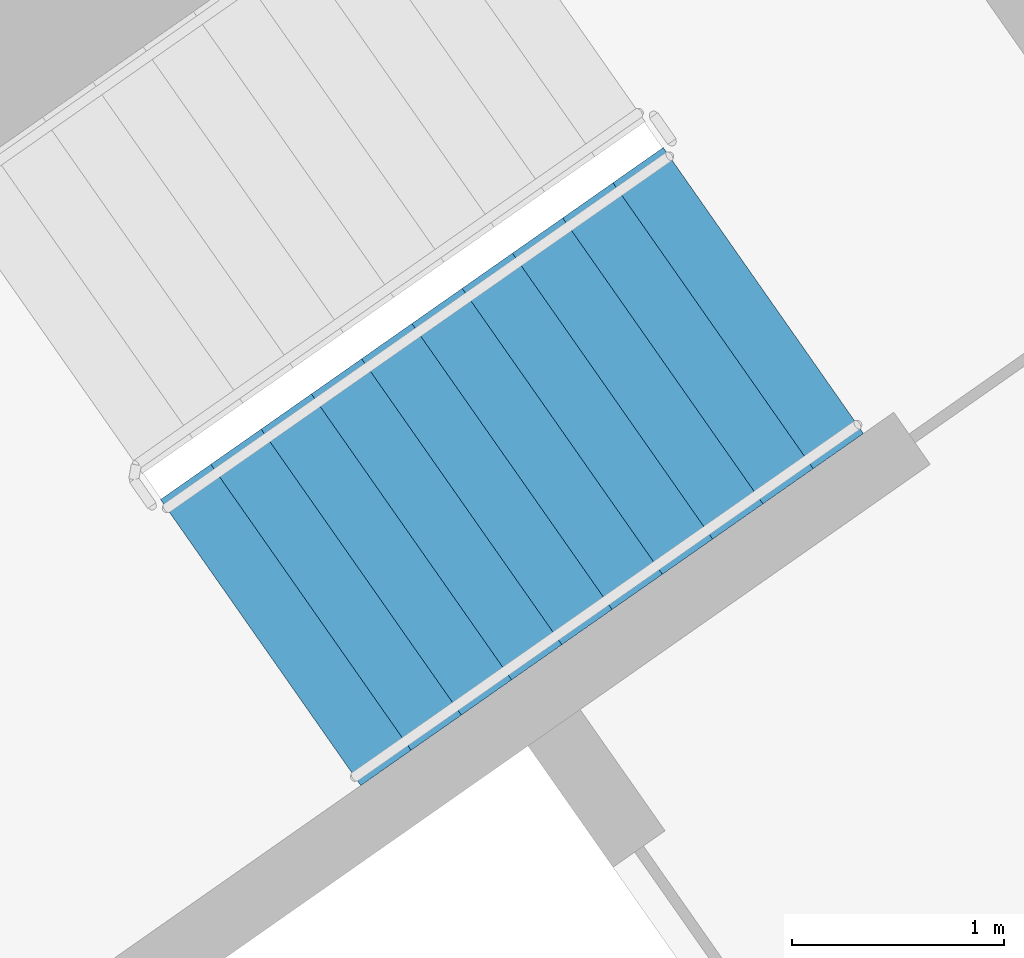
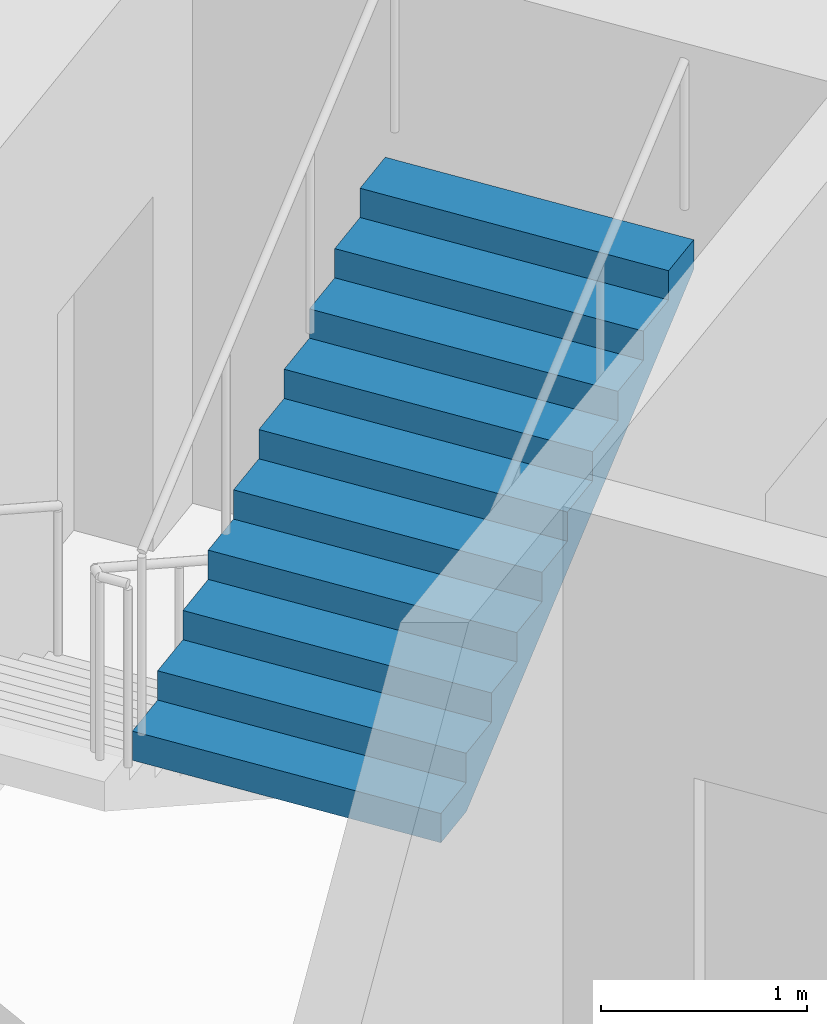
# One storey, part 14 of 31: 1 stair flight, 1 element without a shape of its own.
"""IFC4 building model written with IfcOpenShell, lengths in metres."""

from ifc_helpers import new_model, si_unit, direction, frame, origin, place, context, subcontext, project, spatial, faceted_brep, material, type_object, element, aggregate, save


model = new_model("IFC4")

# Units and contexts
model_context = context("Model", 3, precision=1e-05, world=origin(), true_north=direction((0.0, 1.0)))
body_context = subcontext(model_context, "Body", "Model", "MODEL_VIEW")
ifc_project = project(units=[si_unit("LENGTHUNIT", "METRE"), si_unit("AREAUNIT", "SQUARE_METRE"), si_unit("VOLUMEUNIT", "CUBIC_METRE"), si_unit("PLANEANGLEUNIT", "RADIAN"), si_unit("MASSUNIT", "GRAM", prefix="KILO")], contexts=[model_context])

# Site, building, storey
site_placement = place(None, origin())
site = spatial("IfcSite", under=ifc_project, at=site_placement, CompositionType="ELEMENT")
building_placement = place(site_placement, origin())
building = spatial("IfcBuilding", under=site, at=building_placement, Name="Qamariyya Broadcast Tower", CompositionType="ELEMENT")
storey_placement = place(building_placement, frame((0.0, 0.0, 48.10009765625)))
storey = spatial("IfcBuildingStorey", under=building, at=storey_placement, Name="L08", CompositionType="ELEMENT", Elevation=48.10009765625)

# Stair, stair flight
ifc_material = material(Name="Concrete C50/60", Category="concrete")
stair_type = type_object("IfcStairType", Name="Exit stair 22 risers of 173 mm", PredefinedType="HALF_TURN_STAIR", material=ifc_material)
stair_placement = place(storey_placement, origin())
stair = element("IfcStair", 1, at=stair_placement, inside=storey, type_object=stair_type, Name="L08 Stair E2", PredefinedType="HALF_TURN_STAIR")
stair_flight_type = type_object("IfcStairFlightType", Name="Exit stair flight 11 risers of 173 mm", PredefinedType="STRAIGHT", material=ifc_material)
stair_flight_placement = place(storey_placement, frame((39.215576171875, -50.822998046875, 1.89990234375), z_axis=(0.0, 0.0, 1.0), x_axis=(0.819152044289, 0.573576436351, 0.0)))
stair_flight = element("IfcStairFlight", 2, at=stair_flight_placement, type_object=stair_flight_type, Name="ST-E2 flight 2", NumberOfRisers=11, NumberOfTreads=10, PredefinedType="STRAIGHT", RiserHeight=0.172727273, TreadLength=0.29, context=body_context, shape_type="Brep", body=[
    faceted_brep([(0.0, 0.824951171875, 0.0), (0.0, 0.824951171875, 0.172607421875), (0.2900390625, 0.824951171875, 0.172607421875), (0.2900390625, 0.824951171875, 0.345458984375), (0.580078125, 0.824951171875, 0.345458984375), (0.580078125, 0.824951171875, 0.51806640625), (0.8701171875, 0.824951171875, 0.51806640625), (0.8701171875, 0.824951171875, 0.69091796875), (1.159912109375, 0.824951171875, 0.69091796875), (1.159912109375, 0.824951171875, 0.863525390625), (1.449951171875, 0.824951171875, 0.863525390625), (1.449951171875, 0.824951171875, 1.036376953125), (1.739990234375, 0.824951171875, 1.036376953125), (1.739990234375, 0.824951171875, 1.208984375), (2.030029296875, 0.824951171875, 1.208984375), (2.030029296875, 0.824951171875, 1.3818359375), (2.320068359375, 0.824951171875, 1.3818359375), (2.320068359375, 0.824951171875, 1.554443359375), (2.610107421875, 0.824951171875, 1.554443359375), (2.610107421875, 0.824951171875, 1.727294921875), (2.89990234375, 0.824951171875, 1.727294921875), (2.89990234375, 0.824951171875, 1.552734375), (0.29296875, 0.824951171875, 0.0), (0.29296875, -0.824951171875, 0.0), (2.89990234375, -0.824951171875, 1.552734375), (2.89990234375, -0.824951171875, 1.727294921875), (2.610107421875, -0.824951171875, 1.727294921875), (2.610107421875, -0.824951171875, 1.554443359375), (2.320068359375, -0.824951171875, 1.554443359375), (2.320068359375, -0.824951171875, 1.3818359375), (2.030029296875, -0.824951171875, 1.3818359375), (2.030029296875, -0.824951171875, 1.208984375), (1.739990234375, -0.824951171875, 1.208984375), (1.739990234375, -0.824951171875, 1.036376953125), (1.449951171875, -0.824951171875, 1.036376953125), (1.449951171875, -0.824951171875, 0.863525390625), (1.159912109375, -0.824951171875, 0.863525390625), (1.159912109375, -0.824951171875, 0.69091796875), (0.8701171875, -0.824951171875, 0.69091796875), (0.8701171875, -0.824951171875, 0.51806640625), (0.580078125, -0.824951171875, 0.51806640625), (0.580078125, -0.824951171875, 0.345458984375), (0.2900390625, -0.824951171875, 0.345458984375), (0.2900390625, -0.824951171875, 0.172607421875), (0.0, -0.824951171875, 0.172607421875), (0.0, -0.824951171875, 0.0), (0.0, 0.10009765625, 0.0), (0.0, 0.086669921875, 0.0), (0.0, 0.0732421875, 0.0), (0.0, 0.06005859375, 0.0), (0.0, 0.046630859375, 0.0), (0.0, 0.033447265625, 0.0), (0.0, 0.02001953125, 0.0), (0.0, 0.006591796875, 0.0), (0.0, -0.006591796875, 0.0), (0.0, -0.02001953125, 0.0), (0.0, -0.033447265625, 0.0), (0.0, -0.046630859375, 0.0), (0.0, -0.06005859375, 0.0), (0.0, -0.0732421875, 0.0), (0.0, -0.086669921875, 0.0), (0.0, -0.10009765625, 0.0), (0.0, -0.10009765625, 0.172607421875), (0.0, -0.086669921875, 0.172607421875), (0.0, -0.0732421875, 0.172607421875), (0.0, -0.06005859375, 0.172607421875), (0.0, -0.046630859375, 0.172607421875), (0.0, -0.033447265625, 0.172607421875), (0.0, -0.02001953125, 0.172607421875), (0.0, -0.006591796875, 0.172607421875), (0.0, 0.006591796875, 0.172607421875), (0.0, 0.02001953125, 0.172607421875), (0.0, 0.033447265625, 0.172607421875), (0.0, 0.046630859375, 0.172607421875), (0.0, 0.06005859375, 0.172607421875), (0.0, 0.0732421875, 0.172607421875), (0.0, 0.086669921875, 0.172607421875), (0.0, 0.10009765625, 0.172607421875), (0.2900390625, -0.10009765625, 0.172607421875), (0.2900390625, -0.086669921875, 0.172607421875), (0.2900390625, -0.0732421875, 0.172607421875), (0.2900390625, -0.06005859375, 0.172607421875), (0.2900390625, -0.046630859375, 0.172607421875), (0.2900390625, -0.033447265625, 0.172607421875), (0.2900390625, -0.02001953125, 0.172607421875), (0.2900390625, -0.006591796875, 0.172607421875), (0.2900390625, 0.006591796875, 0.172607421875), (0.2900390625, 0.02001953125, 0.172607421875), (0.2900390625, 0.033447265625, 0.172607421875), (0.2900390625, 0.046630859375, 0.172607421875), (0.2900390625, 0.06005859375, 0.172607421875), (0.2900390625, 0.0732421875, 0.172607421875), (0.2900390625, 0.086669921875, 0.172607421875), (0.2900390625, 0.10009765625, 0.172607421875), (0.2900390625, -0.10009765625, 0.345458984375), (0.2900390625, -0.086669921875, 0.345458984375), (0.2900390625, -0.0732421875, 0.345458984375), (0.2900390625, -0.06005859375, 0.345458984375), (0.2900390625, -0.046630859375, 0.345458984375), (0.2900390625, -0.033447265625, 0.345458984375), (0.2900390625, -0.02001953125, 0.345458984375), (0.2900390625, -0.006591796875, 0.345458984375), (0.2900390625, 0.006591796875, 0.345458984375), (0.2900390625, 0.02001953125, 0.345458984375), (0.2900390625, 0.033447265625, 0.345458984375), (0.2900390625, 0.046630859375, 0.345458984375), (0.2900390625, 0.06005859375, 0.345458984375), (0.2900390625, 0.0732421875, 0.345458984375), (0.2900390625, 0.086669921875, 0.345458984375), (0.2900390625, 0.10009765625, 0.345458984375), (0.580078125, -0.10009765625, 0.345458984375), (0.580078125, -0.086669921875, 0.345458984375), (0.580078125, -0.0732421875, 0.345458984375), (0.580078125, -0.06005859375, 0.345458984375), (0.580078125, -0.046630859375, 0.345458984375), (0.580078125, -0.033447265625, 0.345458984375), (0.580078125, -0.02001953125, 0.345458984375), (0.580078125, -0.006591796875, 0.345458984375), (0.580078125, 0.006591796875, 0.345458984375), (0.580078125, 0.02001953125, 0.345458984375), (0.580078125, 0.033447265625, 0.345458984375), (0.580078125, 0.046630859375, 0.345458984375), (0.580078125, 0.06005859375, 0.345458984375), (0.580078125, 0.0732421875, 0.345458984375), (0.580078125, 0.086669921875, 0.345458984375), (0.580078125, 0.10009765625, 0.345458984375), (0.580078125, -0.10009765625, 0.51806640625), (0.580078125, -0.086669921875, 0.51806640625), (0.580078125, -0.0732421875, 0.51806640625), (0.580078125, -0.06005859375, 0.51806640625), (0.580078125, -0.046630859375, 0.51806640625), (0.580078125, -0.033447265625, 0.51806640625), (0.580078125, -0.02001953125, 0.51806640625), (0.580078125, -0.006591796875, 0.51806640625), (0.580078125, 0.006591796875, 0.51806640625), (0.580078125, 0.02001953125, 0.51806640625), (0.580078125, 0.033447265625, 0.51806640625), (0.580078125, 0.046630859375, 0.51806640625), (0.580078125, 0.06005859375, 0.51806640625), (0.580078125, 0.0732421875, 0.51806640625), (0.580078125, 0.086669921875, 0.51806640625), (0.580078125, 0.10009765625, 0.51806640625), (0.8701171875, -0.10009765625, 0.51806640625), (0.8701171875, -0.086669921875, 0.51806640625), (0.8701171875, -0.0732421875, 0.51806640625), (0.8701171875, -0.06005859375, 0.51806640625), (0.8701171875, -0.046630859375, 0.51806640625), (0.8701171875, -0.033447265625, 0.51806640625), (0.8701171875, -0.02001953125, 0.51806640625), (0.8701171875, -0.006591796875, 0.51806640625), (0.8701171875, 0.006591796875, 0.51806640625), (0.8701171875, 0.02001953125, 0.51806640625), (0.8701171875, 0.033447265625, 0.51806640625), (0.8701171875, 0.046630859375, 0.51806640625), (0.8701171875, 0.06005859375, 0.51806640625), (0.8701171875, 0.0732421875, 0.51806640625), (0.8701171875, 0.086669921875, 0.51806640625), (0.8701171875, 0.10009765625, 0.51806640625), (0.8701171875, -0.10009765625, 0.69091796875), (0.8701171875, -0.086669921875, 0.69091796875), (0.8701171875, -0.0732421875, 0.69091796875), (0.8701171875, -0.06005859375, 0.69091796875), (0.8701171875, -0.046630859375, 0.69091796875), (0.8701171875, -0.033447265625, 0.69091796875), (0.8701171875, -0.02001953125, 0.69091796875), (0.8701171875, -0.006591796875, 0.69091796875), (0.8701171875, 0.006591796875, 0.69091796875), (0.8701171875, 0.02001953125, 0.69091796875), (0.8701171875, 0.033447265625, 0.69091796875), (0.8701171875, 0.046630859375, 0.69091796875), (0.8701171875, 0.06005859375, 0.69091796875), (0.8701171875, 0.0732421875, 0.69091796875), (0.8701171875, 0.086669921875, 0.69091796875), (0.8701171875, 0.10009765625, 0.69091796875), (1.159912109375, -0.10009765625, 0.69091796875), (1.159912109375, -0.086669921875, 0.69091796875), (1.159912109375, -0.0732421875, 0.69091796875), (1.159912109375, -0.06005859375, 0.69091796875), (1.159912109375, -0.046630859375, 0.69091796875), (1.159912109375, -0.033447265625, 0.69091796875), (1.159912109375, -0.02001953125, 0.69091796875), (1.159912109375, -0.006591796875, 0.69091796875), (1.159912109375, 0.006591796875, 0.69091796875), (1.159912109375, 0.02001953125, 0.69091796875), (1.159912109375, 0.033447265625, 0.69091796875), (1.159912109375, 0.046630859375, 0.69091796875), (1.159912109375, 0.06005859375, 0.69091796875), (1.159912109375, 0.0732421875, 0.69091796875), (1.159912109375, 0.086669921875, 0.69091796875), (1.159912109375, 0.10009765625, 0.69091796875), (1.159912109375, -0.10009765625, 0.863525390625), (1.159912109375, -0.086669921875, 0.863525390625), (1.159912109375, -0.0732421875, 0.863525390625), (1.159912109375, -0.06005859375, 0.863525390625), (1.159912109375, -0.046630859375, 0.863525390625), (1.159912109375, -0.033447265625, 0.863525390625), (1.159912109375, -0.02001953125, 0.863525390625), (1.159912109375, -0.006591796875, 0.863525390625), (1.159912109375, 0.006591796875, 0.863525390625), (1.159912109375, 0.02001953125, 0.863525390625), (1.159912109375, 0.033447265625, 0.863525390625), (1.159912109375, 0.046630859375, 0.863525390625), (1.159912109375, 0.06005859375, 0.863525390625), (1.159912109375, 0.0732421875, 0.863525390625), (1.159912109375, 0.086669921875, 0.863525390625), (1.159912109375, 0.10009765625, 0.863525390625), (1.449951171875, -0.10009765625, 0.863525390625), (1.449951171875, -0.086669921875, 0.863525390625), (1.449951171875, -0.0732421875, 0.863525390625), (1.449951171875, -0.06005859375, 0.863525390625), (1.449951171875, -0.046630859375, 0.863525390625), (1.449951171875, -0.033447265625, 0.863525390625), (1.449951171875, -0.02001953125, 0.863525390625), (1.449951171875, -0.006591796875, 0.863525390625), (1.449951171875, 0.006591796875, 0.863525390625), (1.449951171875, 0.02001953125, 0.863525390625), (1.449951171875, 0.033447265625, 0.863525390625), (1.449951171875, 0.046630859375, 0.863525390625), (1.449951171875, 0.06005859375, 0.863525390625), (1.449951171875, 0.0732421875, 0.863525390625), (1.449951171875, 0.086669921875, 0.863525390625), (1.449951171875, 0.10009765625, 0.863525390625), (1.449951171875, -0.10009765625, 1.036376953125), (1.449951171875, -0.086669921875, 1.036376953125), (1.449951171875, -0.0732421875, 1.036376953125), (1.449951171875, -0.06005859375, 1.036376953125), (1.449951171875, -0.046630859375, 1.036376953125), (1.449951171875, -0.033447265625, 1.036376953125), (1.449951171875, -0.02001953125, 1.036376953125), (1.449951171875, -0.006591796875, 1.036376953125), (1.449951171875, 0.006591796875, 1.036376953125), (1.449951171875, 0.02001953125, 1.036376953125), (1.449951171875, 0.033447265625, 1.036376953125), (1.449951171875, 0.046630859375, 1.036376953125), (1.449951171875, 0.06005859375, 1.036376953125), (1.449951171875, 0.0732421875, 1.036376953125), (1.449951171875, 0.086669921875, 1.036376953125), (1.449951171875, 0.10009765625, 1.036376953125), (1.739990234375, -0.10009765625, 1.036376953125), (1.739990234375, -0.086669921875, 1.036376953125), (1.739990234375, -0.0732421875, 1.036376953125), (1.739990234375, -0.06005859375, 1.036376953125), (1.739990234375, -0.046630859375, 1.036376953125), (1.739990234375, -0.033447265625, 1.036376953125), (1.739990234375, -0.02001953125, 1.036376953125), (1.739990234375, -0.006591796875, 1.036376953125), (1.739990234375, 0.006591796875, 1.036376953125), (1.739990234375, 0.02001953125, 1.036376953125), (1.739990234375, 0.033447265625, 1.036376953125), (1.739990234375, 0.046630859375, 1.036376953125), (1.739990234375, 0.06005859375, 1.036376953125), (1.739990234375, 0.0732421875, 1.036376953125), (1.739990234375, 0.086669921875, 1.036376953125), (1.739990234375, 0.10009765625, 1.036376953125), (1.739990234375, -0.10009765625, 1.208984375), (1.739990234375, -0.086669921875, 1.208984375), (1.739990234375, -0.0732421875, 1.208984375), (1.739990234375, -0.06005859375, 1.208984375), (1.739990234375, -0.046630859375, 1.208984375), (1.739990234375, -0.033447265625, 1.208984375), (1.739990234375, -0.02001953125, 1.208984375), (1.739990234375, -0.006591796875, 1.208984375), (1.739990234375, 0.006591796875, 1.208984375), (1.739990234375, 0.02001953125, 1.208984375), (1.739990234375, 0.033447265625, 1.208984375), (1.739990234375, 0.046630859375, 1.208984375), (1.739990234375, 0.06005859375, 1.208984375), (1.739990234375, 0.0732421875, 1.208984375), (1.739990234375, 0.086669921875, 1.208984375), (1.739990234375, 0.10009765625, 1.208984375), (2.030029296875, -0.10009765625, 1.208984375), (2.030029296875, -0.086669921875, 1.208984375), (2.030029296875, -0.0732421875, 1.208984375), (2.030029296875, -0.06005859375, 1.208984375), (2.030029296875, -0.046630859375, 1.208984375), (2.030029296875, -0.033447265625, 1.208984375), (2.030029296875, -0.02001953125, 1.208984375), (2.030029296875, -0.006591796875, 1.208984375), (2.030029296875, 0.006591796875, 1.208984375), (2.030029296875, 0.02001953125, 1.208984375), (2.030029296875, 0.033447265625, 1.208984375), (2.030029296875, 0.046630859375, 1.208984375), (2.030029296875, 0.06005859375, 1.208984375), (2.030029296875, 0.0732421875, 1.208984375), (2.030029296875, 0.086669921875, 1.208984375), (2.030029296875, 0.10009765625, 1.208984375), (2.030029296875, -0.10009765625, 1.3818359375), (2.030029296875, -0.086669921875, 1.3818359375), (2.030029296875, -0.0732421875, 1.3818359375), (2.030029296875, -0.06005859375, 1.3818359375), (2.030029296875, -0.046630859375, 1.3818359375), (2.030029296875, -0.033447265625, 1.3818359375), (2.030029296875, -0.02001953125, 1.3818359375), (2.030029296875, -0.006591796875, 1.3818359375), (2.030029296875, 0.006591796875, 1.3818359375), (2.030029296875, 0.02001953125, 1.3818359375), (2.030029296875, 0.033447265625, 1.3818359375), (2.030029296875, 0.046630859375, 1.3818359375), (2.030029296875, 0.06005859375, 1.3818359375), (2.030029296875, 0.0732421875, 1.3818359375), (2.030029296875, 0.086669921875, 1.3818359375), (2.030029296875, 0.10009765625, 1.3818359375), (2.320068359375, -0.10009765625, 1.3818359375), (2.320068359375, -0.086669921875, 1.3818359375), (2.320068359375, -0.0732421875, 1.3818359375), (2.320068359375, -0.06005859375, 1.3818359375), (2.320068359375, -0.046630859375, 1.3818359375), (2.320068359375, -0.033447265625, 1.3818359375), (2.320068359375, -0.02001953125, 1.3818359375), (2.320068359375, -0.006591796875, 1.3818359375), (2.320068359375, 0.006591796875, 1.3818359375), (2.320068359375, 0.02001953125, 1.3818359375), (2.320068359375, 0.033447265625, 1.3818359375), (2.320068359375, 0.046630859375, 1.3818359375), (2.320068359375, 0.06005859375, 1.3818359375), (2.320068359375, 0.0732421875, 1.3818359375), (2.320068359375, 0.086669921875, 1.3818359375), (2.320068359375, 0.10009765625, 1.3818359375), (2.320068359375, -0.10009765625, 1.554443359375), (2.320068359375, -0.086669921875, 1.554443359375), (2.320068359375, -0.0732421875, 1.554443359375), (2.320068359375, -0.06005859375, 1.554443359375), (2.320068359375, -0.046630859375, 1.554443359375), (2.320068359375, -0.033447265625, 1.554443359375), (2.320068359375, -0.02001953125, 1.554443359375), (2.320068359375, -0.006591796875, 1.554443359375), (2.320068359375, 0.006591796875, 1.554443359375), (2.320068359375, 0.02001953125, 1.554443359375), (2.320068359375, 0.033447265625, 1.554443359375), (2.320068359375, 0.046630859375, 1.554443359375), (2.320068359375, 0.06005859375, 1.554443359375), (2.320068359375, 0.0732421875, 1.554443359375), (2.320068359375, 0.086669921875, 1.554443359375), (2.320068359375, 0.10009765625, 1.554443359375), (2.610107421875, -0.10009765625, 1.554443359375), (2.610107421875, -0.086669921875, 1.554443359375), (2.610107421875, -0.0732421875, 1.554443359375), (2.610107421875, -0.06005859375, 1.554443359375), (2.610107421875, -0.046630859375, 1.554443359375), (2.610107421875, -0.033447265625, 1.554443359375), (2.610107421875, -0.02001953125, 1.554443359375), (2.610107421875, -0.006591796875, 1.554443359375), (2.610107421875, 0.006591796875, 1.554443359375), (2.610107421875, 0.02001953125, 1.554443359375), (2.610107421875, 0.033447265625, 1.554443359375), (2.610107421875, 0.046630859375, 1.554443359375), (2.610107421875, 0.06005859375, 1.554443359375), (2.610107421875, 0.0732421875, 1.554443359375), (2.610107421875, 0.086669921875, 1.554443359375), (2.610107421875, 0.10009765625, 1.554443359375), (2.610107421875, -0.10009765625, 1.727294921875), (2.610107421875, -0.086669921875, 1.727294921875), (2.610107421875, -0.0732421875, 1.727294921875), (2.610107421875, -0.06005859375, 1.727294921875), (2.610107421875, -0.046630859375, 1.727294921875), (2.610107421875, -0.033447265625, 1.727294921875), (2.610107421875, -0.02001953125, 1.727294921875), (2.610107421875, -0.006591796875, 1.727294921875), (2.610107421875, 0.006591796875, 1.727294921875), (2.610107421875, 0.02001953125, 1.727294921875), (2.610107421875, 0.033447265625, 1.727294921875), (2.610107421875, 0.046630859375, 1.727294921875), (2.610107421875, 0.06005859375, 1.727294921875), (2.610107421875, 0.0732421875, 1.727294921875), (2.610107421875, 0.086669921875, 1.727294921875), (2.610107421875, 0.10009765625, 1.727294921875), (2.89990234375, -0.10009765625, 1.727294921875), (2.89990234375, -0.086669921875, 1.727294921875), (2.89990234375, -0.0732421875, 1.727294921875), (2.89990234375, -0.06005859375, 1.727294921875), (2.89990234375, -0.046630859375, 1.727294921875), (2.89990234375, -0.033447265625, 1.727294921875), (2.89990234375, -0.02001953125, 1.727294921875), (2.89990234375, -0.006591796875, 1.727294921875), (2.89990234375, 0.006591796875, 1.727294921875), (2.89990234375, 0.02001953125, 1.727294921875), (2.89990234375, 0.033447265625, 1.727294921875), (2.89990234375, 0.046630859375, 1.727294921875), (2.89990234375, 0.06005859375, 1.727294921875), (2.89990234375, 0.0732421875, 1.727294921875), (2.89990234375, 0.086669921875, 1.727294921875), (2.89990234375, 0.10009765625, 1.727294921875), (2.89990234375, -0.10009765625, 1.552734375), (2.89990234375, -0.086669921875, 1.552734375), (2.89990234375, -0.0732421875, 1.552734375), (2.89990234375, -0.06005859375, 1.552734375), (2.89990234375, -0.046630859375, 1.552734375), (2.89990234375, -0.033447265625, 1.552734375), (2.89990234375, -0.02001953125, 1.552734375), (2.89990234375, -0.006591796875, 1.552734375), (2.89990234375, 0.006591796875, 1.552734375), (2.89990234375, 0.02001953125, 1.552734375), (2.89990234375, 0.033447265625, 1.552734375), (2.89990234375, 0.046630859375, 1.552734375), (2.89990234375, 0.06005859375, 1.552734375), (2.89990234375, 0.0732421875, 1.552734375), (2.89990234375, 0.086669921875, 1.552734375), (2.89990234375, 0.10009765625, 1.552734375), (0.29296875, -0.10009765625, 0.0), (0.29296875, -0.086669921875, 0.0), (0.29296875, -0.0732421875, 0.0), (0.29296875, -0.06005859375, 0.0), (0.29296875, -0.046630859375, 0.0), (0.29296875, -0.033447265625, 0.0), (0.29296875, -0.02001953125, 0.0), (0.29296875, -0.006591796875, 0.0), (0.29296875, 0.006591796875, 0.0), (0.29296875, 0.02001953125, 0.0), (0.29296875, 0.033447265625, 0.0), (0.29296875, 0.046630859375, 0.0), (0.29296875, 0.06005859375, 0.0), (0.29296875, 0.0732421875, 0.0), (0.29296875, 0.086669921875, 0.0), (0.29296875, 0.10009765625, 0.0)], [[[0, 1, 2, 3, 4, 5, 6, 7, 8, 9, 10, 11, 12, 13, 14, 15, 16, 17, 18, 19, 20, 21, 22]], [[23, 24, 25, 26, 27, 28, 29, 30, 31, 32, 33, 34, 35, 36, 37, 38, 39, 40, 41, 42, 43, 44, 45]], [[0, 46, 47, 48, 49, 50, 51, 52, 53, 54, 55, 56, 57, 58, 59, 60, 61, 45, 44, 62, 63, 64, 65, 66, 67, 68, 69, 70, 71, 72, 73, 74, 75, 76, 77, 1]], [[1, 77, 76, 75, 74, 73, 72, 71, 70, 69, 68, 67, 66, 65, 64, 63, 62, 44, 43, 78, 79, 80, 81, 82, 83, 84, 85, 86, 87, 88, 89, 90, 91, 92, 93, 2]], [[2, 93, 92, 91, 90, 89, 88, 87, 86, 85, 84, 83, 82, 81, 80, 79, 78, 43, 42, 94, 95, 96, 97, 98, 99, 100, 101, 102, 103, 104, 105, 106, 107, 108, 109, 3]], [[3, 109, 108, 107, 106, 105, 104, 103, 102, 101, 100, 99, 98, 97, 96, 95, 94, 42, 41, 110, 111, 112, 113, 114, 115, 116, 117, 118, 119, 120, 121, 122, 123, 124, 125, 4]], [[4, 125, 124, 123, 122, 121, 120, 119, 118, 117, 116, 115, 114, 113, 112, 111, 110, 41, 40, 126, 127, 128, 129, 130, 131, 132, 133, 134, 135, 136, 137, 138, 139, 140, 141, 5]], [[5, 141, 140, 139, 138, 137, 136, 135, 134, 133, 132, 131, 130, 129, 128, 127, 126, 40, 39, 142, 143, 144, 145, 146, 147, 148, 149, 150, 151, 152, 153, 154, 155, 156, 157, 6]], [[6, 157, 156, 155, 154, 153, 152, 151, 150, 149, 148, 147, 146, 145, 144, 143, 142, 39, 38, 158, 159, 160, 161, 162, 163, 164, 165, 166, 167, 168, 169, 170, 171, 172, 173, 7]], [[7, 173, 172, 171, 170, 169, 168, 167, 166, 165, 164, 163, 162, 161, 160, 159, 158, 38, 37, 174, 175, 176, 177, 178, 179, 180, 181, 182, 183, 184, 185, 186, 187, 188, 189, 8]], [[8, 189, 188, 187, 186, 185, 184, 183, 182, 181, 180, 179, 178, 177, 176, 175, 174, 37, 36, 190, 191, 192, 193, 194, 195, 196, 197, 198, 199, 200, 201, 202, 203, 204, 205, 9]], [[9, 205, 204, 203, 202, 201, 200, 199, 198, 197, 196, 195, 194, 193, 192, 191, 190, 36, 35, 206, 207, 208, 209, 210, 211, 212, 213, 214, 215, 216, 217, 218, 219, 220, 221, 10]], [[10, 221, 220, 219, 218, 217, 216, 215, 214, 213, 212, 211, 210, 209, 208, 207, 206, 35, 34, 222, 223, 224, 225, 226, 227, 228, 229, 230, 231, 232, 233, 234, 235, 236, 237, 11]], [[11, 237, 236, 235, 234, 233, 232, 231, 230, 229, 228, 227, 226, 225, 224, 223, 222, 34, 33, 238, 239, 240, 241, 242, 243, 244, 245, 246, 247, 248, 249, 250, 251, 252, 253, 12]], [[12, 253, 252, 251, 250, 249, 248, 247, 246, 245, 244, 243, 242, 241, 240, 239, 238, 33, 32, 254, 255, 256, 257, 258, 259, 260, 261, 262, 263, 264, 265, 266, 267, 268, 269, 13]], [[13, 269, 268, 267, 266, 265, 264, 263, 262, 261, 260, 259, 258, 257, 256, 255, 254, 32, 31, 270, 271, 272, 273, 274, 275, 276, 277, 278, 279, 280, 281, 282, 283, 284, 285, 14]], [[14, 285, 284, 283, 282, 281, 280, 279, 278, 277, 276, 275, 274, 273, 272, 271, 270, 31, 30, 286, 287, 288, 289, 290, 291, 292, 293, 294, 295, 296, 297, 298, 299, 300, 301, 15]], [[15, 301, 300, 299, 298, 297, 296, 295, 294, 293, 292, 291, 290, 289, 288, 287, 286, 30, 29, 302, 303, 304, 305, 306, 307, 308, 309, 310, 311, 312, 313, 314, 315, 316, 317, 16]], [[16, 317, 316, 315, 314, 313, 312, 311, 310, 309, 308, 307, 306, 305, 304, 303, 302, 29, 28, 318, 319, 320, 321, 322, 323, 324, 325, 326, 327, 328, 329, 330, 331, 332, 333, 17]], [[17, 333, 332, 331, 330, 329, 328, 327, 326, 325, 324, 323, 322, 321, 320, 319, 318, 28, 27, 334, 335, 336, 337, 338, 339, 340, 341, 342, 343, 344, 345, 346, 347, 348, 349, 18]], [[18, 349, 348, 347, 346, 345, 344, 343, 342, 341, 340, 339, 338, 337, 336, 335, 334, 27, 26, 350, 351, 352, 353, 354, 355, 356, 357, 358, 359, 360, 361, 362, 363, 364, 365, 19]], [[19, 365, 364, 363, 362, 361, 360, 359, 358, 357, 356, 355, 354, 353, 352, 351, 350, 26, 25, 366, 367, 368, 369, 370, 371, 372, 373, 374, 375, 376, 377, 378, 379, 380, 381, 20]], [[20, 381, 380, 379, 378, 377, 376, 375, 374, 373, 372, 371, 370, 369, 368, 367, 366, 25, 24, 382, 383, 384, 385, 386, 387, 388, 389, 390, 391, 392, 393, 394, 395, 396, 397, 21]], [[21, 397, 396, 395, 394, 393, 392, 391, 390, 389, 388, 387, 386, 385, 384, 383, 382, 24, 23, 398, 399, 400, 401, 402, 403, 404, 405, 406, 407, 408, 409, 410, 411, 412, 413, 22]], [[22, 413, 412, 411, 410, 409, 408, 407, 406, 405, 404, 403, 402, 401, 400, 399, 398, 23, 45, 61, 60, 59, 58, 57, 56, 55, 54, 53, 52, 51, 50, 49, 48, 47, 46, 0]]]),
])
aggregate(stair, [stair_flight])

save(model, "model.ifc")
